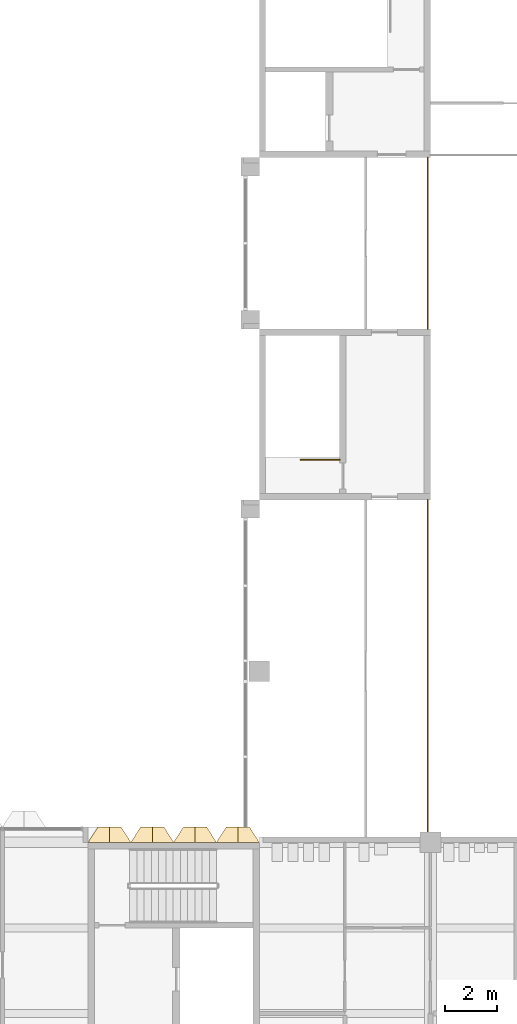
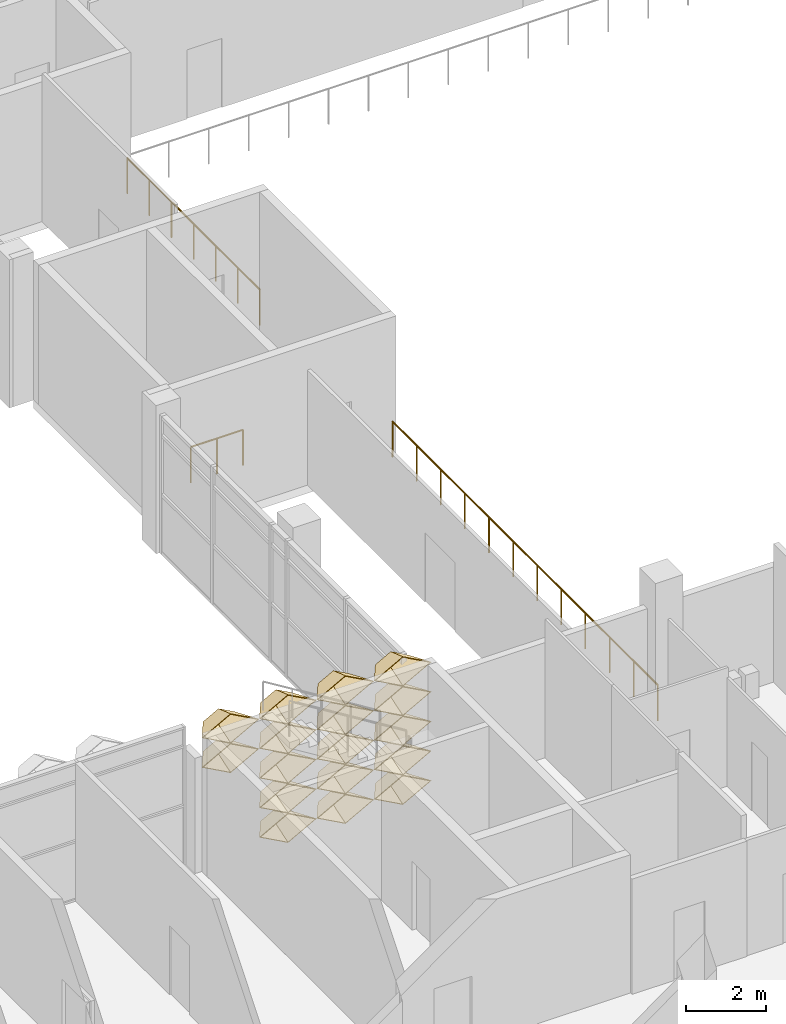
# One storey, part 73 of 102: 17 coverings, 3 railings.
"""IFC4 building model written with IfcOpenShell, lengths in metres."""

from ifc_helpers import new_model, entity, si_unit, direction, frame, origin, origin_2d, place, context, subcontext, project, spatial, circle, extrude, material, layer, layer_set, type_object, element, save


model = new_model("IFC4")

# Units and contexts
model_context = context("Model", 3, precision=1e-05, world=origin(), true_north=direction((0.0, 1.0)))
body_context = subcontext(model_context, "Body", "Model", "MODEL_VIEW")
ifc_project = project(units=[si_unit("LENGTHUNIT", "METRE"), si_unit("AREAUNIT", "SQUARE_METRE"), si_unit("VOLUMEUNIT", "CUBIC_METRE"), si_unit("PLANEANGLEUNIT", "RADIAN"), si_unit("MASSUNIT", "GRAM", prefix="KILO")], contexts=[model_context])

# Site, building, storey
site_placement = place(None, origin())
site = spatial("IfcSite", under=ifc_project, at=site_placement, CompositionType="ELEMENT")
building_placement = place(site_placement, origin())
building = spatial("IfcBuilding", under=site, at=building_placement, Name="Lantern Court Research Institute", CompositionType="ELEMENT")
storey_placement = place(building_placement, frame((0.0, 0.0, 9.89990234375)))
storey = spatial("IfcBuildingStorey", under=building, at=storey_placement, Name="L02", CompositionType="ELEMENT", Elevation=9.89990234375)

# Coverings
ifc_material_1 = material(Name="Anodised aluminium", Category="aluminium")
ifc_layer = layer(ifc_material_1, 0.01611328125)
ifc_layer_set = layer_set([ifc_layer], Name="Anodised aluminium")
covering_type = type_object("IfcCoveringType", Name="Fin cassette 1650 x 900 x 600 aluminium", PredefinedType="CLADDING", material=ifc_layer_set)
covering_1_placement = place(storey_placement, frame((35.47509765625, 23.10009765625, 0.4501953125), z_axis=(0.0, 1.0, 0.0), x_axis=(-1.0, 0.0, 0.0)))
cartesian_point_1 = entity("IfcCartesianPoint", [0.824951171875, 0.0])
cartesian_point_2 = entity("IfcCartesianPoint", [0.79150390625, 0.0])
cartesian_point_3 = entity("IfcCartesianPoint", [0.44189453125, 0.0])
cartesian_point_4 = entity("IfcCartesianPoint", [0.43359375, 0.0])
element("IfcCovering", 1, at=covering_1_placement, inside=storey, type_object=covering_type, Name="Fin cassette V4N-L02 1.22", PredefinedType="CLADDING", context=body_context, shape_type="SweptSolid", body=[
    entity("IfcExtrudedAreaSolidTapered", entity("IfcArbitraryProfileDefWithVoids", "AREA", None, entity("IfcPolyline", [cartesian_point_1, entity("IfcCartesianPoint", [0.0, 0.449951171875]), entity("IfcCartesianPoint", [-0.824951171875, 0.0]), entity("IfcCartesianPoint", [0.0, -0.449951171875]), cartesian_point_1]), [entity("IfcPolyline", [cartesian_point_2, entity("IfcCartesianPoint", [0.0, 0.431884765625]), entity("IfcCartesianPoint", [-0.79150390625, 0.0]), entity("IfcCartesianPoint", [0.0, -0.431884765625]), cartesian_point_2])]), entity("IfcAxis2Placement3D", entity("IfcCartesianPoint", [0.0, 0.0, 0.0])), entity("IfcDirection", [0.0, 0.0, 1.0]), 0.60009765625, entity("IfcArbitraryProfileDefWithVoids", "AREA", None, entity("IfcPolyline", [cartesian_point_3, entity("IfcCartesianPoint", [0.0, 0.240966796875]), entity("IfcCartesianPoint", [-0.44189453125, 0.0]), entity("IfcCartesianPoint", [0.0, -0.240966796875]), cartesian_point_3]), [entity("IfcPolyline", [cartesian_point_4, entity("IfcCartesianPoint", [0.0, 0.236572265625]), entity("IfcCartesianPoint", [-0.43359375, 0.0]), entity("IfcCartesianPoint", [0.0, -0.236572265625]), cartesian_point_4])])),
])
covering_2_placement = place(storey_placement, frame((37.125, 23.10009765625, 0.4501953125), z_axis=(0.0, 1.0, 0.0), x_axis=(-1.0, 0.0, 0.0)))
cartesian_point_5 = entity("IfcCartesianPoint", [0.824951171875, 0.0])
cartesian_point_6 = entity("IfcCartesianPoint", [0.79150390625, 0.0])
cartesian_point_7 = entity("IfcCartesianPoint", [0.44189453125, 0.0])
cartesian_point_8 = entity("IfcCartesianPoint", [0.43359375, 0.0])
element("IfcCovering", 2, at=covering_2_placement, inside=storey, type_object=covering_type, Name="Fin cassette V4N-L02 1.23", PredefinedType="CLADDING", context=body_context, shape_type="SweptSolid", body=[
    entity("IfcExtrudedAreaSolidTapered", entity("IfcArbitraryProfileDefWithVoids", "AREA", None, entity("IfcPolyline", [cartesian_point_5, entity("IfcCartesianPoint", [0.0, 0.449951171875]), entity("IfcCartesianPoint", [-0.824951171875, 0.0]), entity("IfcCartesianPoint", [0.0, -0.449951171875]), cartesian_point_5]), [entity("IfcPolyline", [cartesian_point_6, entity("IfcCartesianPoint", [0.0, 0.431884765625]), entity("IfcCartesianPoint", [-0.79150390625, 0.0]), entity("IfcCartesianPoint", [0.0, -0.431884765625]), cartesian_point_6])]), entity("IfcAxis2Placement3D", entity("IfcCartesianPoint", [0.0, 0.0, 0.0])), entity("IfcDirection", [0.0, 0.0, 1.0]), 0.60009765625, entity("IfcArbitraryProfileDefWithVoids", "AREA", None, entity("IfcPolyline", [cartesian_point_7, entity("IfcCartesianPoint", [0.0, 0.240966796875]), entity("IfcCartesianPoint", [-0.44189453125, 0.0]), entity("IfcCartesianPoint", [0.0, -0.240966796875]), cartesian_point_7]), [entity("IfcPolyline", [cartesian_point_8, entity("IfcCartesianPoint", [0.0, 0.236572265625]), entity("IfcCartesianPoint", [-0.43359375, 0.0]), entity("IfcCartesianPoint", [0.0, -0.236572265625]), cartesian_point_8])])),
])
covering_3_placement = place(storey_placement, frame((38.77490234375, 23.10009765625, 0.4501953125), z_axis=(0.0, 1.0, 0.0), x_axis=(-1.0, 0.0, 0.0)))
cartesian_point_9 = entity("IfcCartesianPoint", [0.824951171875, 0.0])
cartesian_point_10 = entity("IfcCartesianPoint", [0.79150390625, 0.0])
cartesian_point_11 = entity("IfcCartesianPoint", [0.44189453125, 0.0])
cartesian_point_12 = entity("IfcCartesianPoint", [0.43359375, 0.0])
element("IfcCovering", 3, at=covering_3_placement, inside=storey, type_object=covering_type, Name="Fin cassette V4N-L02 1.24", PredefinedType="CLADDING", context=body_context, shape_type="SweptSolid", body=[
    entity("IfcExtrudedAreaSolidTapered", entity("IfcArbitraryProfileDefWithVoids", "AREA", None, entity("IfcPolyline", [cartesian_point_9, entity("IfcCartesianPoint", [0.0, 0.449951171875]), entity("IfcCartesianPoint", [-0.824951171875, 0.0]), entity("IfcCartesianPoint", [0.0, -0.449951171875]), cartesian_point_9]), [entity("IfcPolyline", [cartesian_point_10, entity("IfcCartesianPoint", [0.0, 0.431884765625]), entity("IfcCartesianPoint", [-0.79150390625, 0.0]), entity("IfcCartesianPoint", [0.0, -0.431884765625]), cartesian_point_10])]), entity("IfcAxis2Placement3D", entity("IfcCartesianPoint", [0.0, 0.0, 0.0])), entity("IfcDirection", [0.0, 0.0, 1.0]), 0.60009765625, entity("IfcArbitraryProfileDefWithVoids", "AREA", None, entity("IfcPolyline", [cartesian_point_11, entity("IfcCartesianPoint", [0.0, 0.240966796875]), entity("IfcCartesianPoint", [-0.44189453125, 0.0]), entity("IfcCartesianPoint", [0.0, -0.240966796875]), cartesian_point_11]), [entity("IfcPolyline", [cartesian_point_12, entity("IfcCartesianPoint", [0.0, 0.236572265625]), entity("IfcCartesianPoint", [-0.43359375, 0.0]), entity("IfcCartesianPoint", [0.0, -0.236572265625]), cartesian_point_12])])),
])
covering_4_placement = place(storey_placement, frame((35.47509765625, 23.10009765625, 1.35009765625), z_axis=(0.0, 1.0, 0.0), x_axis=(-1.0, 0.0, 0.0)))
cartesian_point_13 = entity("IfcCartesianPoint", [0.824951171875, 0.0])
cartesian_point_14 = entity("IfcCartesianPoint", [0.79150390625, 0.0])
cartesian_point_15 = entity("IfcCartesianPoint", [0.44189453125, 0.0])
cartesian_point_16 = entity("IfcCartesianPoint", [0.43359375, 0.0])
element("IfcCovering", 4, at=covering_4_placement, inside=storey, type_object=covering_type, Name="Fin cassette V4N-L02 2.22", PredefinedType="CLADDING", context=body_context, shape_type="SweptSolid", body=[
    entity("IfcExtrudedAreaSolidTapered", entity("IfcArbitraryProfileDefWithVoids", "AREA", None, entity("IfcPolyline", [cartesian_point_13, entity("IfcCartesianPoint", [0.0, 0.449951171875]), entity("IfcCartesianPoint", [-0.824951171875, 0.0]), entity("IfcCartesianPoint", [0.0, -0.449951171875]), cartesian_point_13]), [entity("IfcPolyline", [cartesian_point_14, entity("IfcCartesianPoint", [0.0, 0.431884765625]), entity("IfcCartesianPoint", [-0.79150390625, 0.0]), entity("IfcCartesianPoint", [0.0, -0.431884765625]), cartesian_point_14])]), entity("IfcAxis2Placement3D", entity("IfcCartesianPoint", [0.0, 0.0, 0.0])), entity("IfcDirection", [0.0, 0.0, 1.0]), 0.60009765625, entity("IfcArbitraryProfileDefWithVoids", "AREA", None, entity("IfcPolyline", [cartesian_point_15, entity("IfcCartesianPoint", [0.0, 0.240966796875]), entity("IfcCartesianPoint", [-0.44189453125, 0.0]), entity("IfcCartesianPoint", [0.0, -0.240966796875]), cartesian_point_15]), [entity("IfcPolyline", [cartesian_point_16, entity("IfcCartesianPoint", [0.0, 0.236572265625]), entity("IfcCartesianPoint", [-0.43359375, 0.0]), entity("IfcCartesianPoint", [0.0, -0.236572265625]), cartesian_point_16])])),
])
covering_5_placement = place(storey_placement, frame((37.125, 23.10009765625, 1.35009765625), z_axis=(0.0, 1.0, 0.0), x_axis=(-1.0, 0.0, 0.0)))
cartesian_point_17 = entity("IfcCartesianPoint", [0.824951171875, 0.0])
cartesian_point_18 = entity("IfcCartesianPoint", [0.79150390625, 0.0])
cartesian_point_19 = entity("IfcCartesianPoint", [0.44189453125, 0.0])
cartesian_point_20 = entity("IfcCartesianPoint", [0.43359375, 0.0])
element("IfcCovering", 5, at=covering_5_placement, inside=storey, type_object=covering_type, Name="Fin cassette V4N-L02 2.23", PredefinedType="CLADDING", context=body_context, shape_type="SweptSolid", body=[
    entity("IfcExtrudedAreaSolidTapered", entity("IfcArbitraryProfileDefWithVoids", "AREA", None, entity("IfcPolyline", [cartesian_point_17, entity("IfcCartesianPoint", [0.0, 0.449951171875]), entity("IfcCartesianPoint", [-0.824951171875, 0.0]), entity("IfcCartesianPoint", [0.0, -0.449951171875]), cartesian_point_17]), [entity("IfcPolyline", [cartesian_point_18, entity("IfcCartesianPoint", [0.0, 0.431884765625]), entity("IfcCartesianPoint", [-0.79150390625, 0.0]), entity("IfcCartesianPoint", [0.0, -0.431884765625]), cartesian_point_18])]), entity("IfcAxis2Placement3D", entity("IfcCartesianPoint", [0.0, 0.0, 0.0])), entity("IfcDirection", [0.0, 0.0, 1.0]), 0.60009765625, entity("IfcArbitraryProfileDefWithVoids", "AREA", None, entity("IfcPolyline", [cartesian_point_19, entity("IfcCartesianPoint", [0.0, 0.240966796875]), entity("IfcCartesianPoint", [-0.44189453125, 0.0]), entity("IfcCartesianPoint", [0.0, -0.240966796875]), cartesian_point_19]), [entity("IfcPolyline", [cartesian_point_20, entity("IfcCartesianPoint", [0.0, 0.236572265625]), entity("IfcCartesianPoint", [-0.43359375, 0.0]), entity("IfcCartesianPoint", [0.0, -0.236572265625]), cartesian_point_20])])),
])
covering_6_placement = place(storey_placement, frame((38.77490234375, 23.10009765625, 1.35009765625), z_axis=(0.0, 1.0, 0.0), x_axis=(-1.0, 0.0, 0.0)))
cartesian_point_21 = entity("IfcCartesianPoint", [0.824951171875, 0.0])
cartesian_point_22 = entity("IfcCartesianPoint", [0.79150390625, 0.0])
cartesian_point_23 = entity("IfcCartesianPoint", [0.44189453125, 0.0])
cartesian_point_24 = entity("IfcCartesianPoint", [0.43359375, 0.0])
element("IfcCovering", 6, at=covering_6_placement, inside=storey, type_object=covering_type, Name="Fin cassette V4N-L02 2.24", PredefinedType="CLADDING", context=body_context, shape_type="SweptSolid", body=[
    entity("IfcExtrudedAreaSolidTapered", entity("IfcArbitraryProfileDefWithVoids", "AREA", None, entity("IfcPolyline", [cartesian_point_21, entity("IfcCartesianPoint", [0.0, 0.449951171875]), entity("IfcCartesianPoint", [-0.824951171875, 0.0]), entity("IfcCartesianPoint", [0.0, -0.449951171875]), cartesian_point_21]), [entity("IfcPolyline", [cartesian_point_22, entity("IfcCartesianPoint", [0.0, 0.431884765625]), entity("IfcCartesianPoint", [-0.79150390625, 0.0]), entity("IfcCartesianPoint", [0.0, -0.431884765625]), cartesian_point_22])]), entity("IfcAxis2Placement3D", entity("IfcCartesianPoint", [0.0, 0.0, 0.0])), entity("IfcDirection", [0.0, 0.0, 1.0]), 0.60009765625, entity("IfcArbitraryProfileDefWithVoids", "AREA", None, entity("IfcPolyline", [cartesian_point_23, entity("IfcCartesianPoint", [0.0, 0.240966796875]), entity("IfcCartesianPoint", [-0.44189453125, 0.0]), entity("IfcCartesianPoint", [0.0, -0.240966796875]), cartesian_point_23]), [entity("IfcPolyline", [cartesian_point_24, entity("IfcCartesianPoint", [0.0, 0.236572265625]), entity("IfcCartesianPoint", [-0.43359375, 0.0]), entity("IfcCartesianPoint", [0.0, -0.236572265625]), cartesian_point_24])])),
])
covering_7_placement = place(storey_placement, frame((35.47509765625, 23.10009765625, 2.25), z_axis=(0.0, 1.0, 0.0), x_axis=(-1.0, 0.0, 0.0)))
cartesian_point_25 = entity("IfcCartesianPoint", [0.824951171875, 0.0])
cartesian_point_26 = entity("IfcCartesianPoint", [0.79150390625, 0.0])
cartesian_point_27 = entity("IfcCartesianPoint", [0.44189453125, 0.0])
cartesian_point_28 = entity("IfcCartesianPoint", [0.43359375, 0.0])
element("IfcCovering", 7, at=covering_7_placement, inside=storey, type_object=covering_type, Name="Fin cassette V4N-L02 3.22", PredefinedType="CLADDING", context=body_context, shape_type="SweptSolid", body=[
    entity("IfcExtrudedAreaSolidTapered", entity("IfcArbitraryProfileDefWithVoids", "AREA", None, entity("IfcPolyline", [cartesian_point_25, entity("IfcCartesianPoint", [0.0, 0.449951171875]), entity("IfcCartesianPoint", [-0.824951171875, 0.0]), entity("IfcCartesianPoint", [0.0, -0.449951171875]), cartesian_point_25]), [entity("IfcPolyline", [cartesian_point_26, entity("IfcCartesianPoint", [0.0, 0.431884765625]), entity("IfcCartesianPoint", [-0.79150390625, 0.0]), entity("IfcCartesianPoint", [0.0, -0.431884765625]), cartesian_point_26])]), entity("IfcAxis2Placement3D", entity("IfcCartesianPoint", [0.0, 0.0, 0.0])), entity("IfcDirection", [0.0, 0.0, 1.0]), 0.60009765625, entity("IfcArbitraryProfileDefWithVoids", "AREA", None, entity("IfcPolyline", [cartesian_point_27, entity("IfcCartesianPoint", [0.0, 0.240966796875]), entity("IfcCartesianPoint", [-0.44189453125, 0.0]), entity("IfcCartesianPoint", [0.0, -0.240966796875]), cartesian_point_27]), [entity("IfcPolyline", [cartesian_point_28, entity("IfcCartesianPoint", [0.0, 0.236572265625]), entity("IfcCartesianPoint", [-0.43359375, 0.0]), entity("IfcCartesianPoint", [0.0, -0.236572265625]), cartesian_point_28])])),
])
covering_8_placement = place(storey_placement, frame((37.125, 23.10009765625, 2.25), z_axis=(0.0, 1.0, 0.0), x_axis=(-1.0, 0.0, 0.0)))
cartesian_point_29 = entity("IfcCartesianPoint", [0.824951171875, 0.0])
cartesian_point_30 = entity("IfcCartesianPoint", [0.79150390625, 0.0])
cartesian_point_31 = entity("IfcCartesianPoint", [0.44189453125, 0.0])
cartesian_point_32 = entity("IfcCartesianPoint", [0.43359375, 0.0])
element("IfcCovering", 8, at=covering_8_placement, inside=storey, type_object=covering_type, Name="Fin cassette V4N-L02 3.23", PredefinedType="CLADDING", context=body_context, shape_type="SweptSolid", body=[
    entity("IfcExtrudedAreaSolidTapered", entity("IfcArbitraryProfileDefWithVoids", "AREA", None, entity("IfcPolyline", [cartesian_point_29, entity("IfcCartesianPoint", [0.0, 0.449951171875]), entity("IfcCartesianPoint", [-0.824951171875, 0.0]), entity("IfcCartesianPoint", [0.0, -0.449951171875]), cartesian_point_29]), [entity("IfcPolyline", [cartesian_point_30, entity("IfcCartesianPoint", [0.0, 0.431884765625]), entity("IfcCartesianPoint", [-0.79150390625, 0.0]), entity("IfcCartesianPoint", [0.0, -0.431884765625]), cartesian_point_30])]), entity("IfcAxis2Placement3D", entity("IfcCartesianPoint", [0.0, 0.0, 0.0])), entity("IfcDirection", [0.0, 0.0, 1.0]), 0.60009765625, entity("IfcArbitraryProfileDefWithVoids", "AREA", None, entity("IfcPolyline", [cartesian_point_31, entity("IfcCartesianPoint", [0.0, 0.240966796875]), entity("IfcCartesianPoint", [-0.44189453125, 0.0]), entity("IfcCartesianPoint", [0.0, -0.240966796875]), cartesian_point_31]), [entity("IfcPolyline", [cartesian_point_32, entity("IfcCartesianPoint", [0.0, 0.236572265625]), entity("IfcCartesianPoint", [-0.43359375, 0.0]), entity("IfcCartesianPoint", [0.0, -0.236572265625]), cartesian_point_32])])),
])
covering_9_placement = place(storey_placement, frame((38.77490234375, 23.10009765625, 2.25), z_axis=(0.0, 1.0, 0.0), x_axis=(-1.0, 0.0, 0.0)))
cartesian_point_33 = entity("IfcCartesianPoint", [0.824951171875, 0.0])
cartesian_point_34 = entity("IfcCartesianPoint", [0.79150390625, 0.0])
cartesian_point_35 = entity("IfcCartesianPoint", [0.44189453125, 0.0])
cartesian_point_36 = entity("IfcCartesianPoint", [0.43359375, 0.0])
element("IfcCovering", 9, at=covering_9_placement, inside=storey, type_object=covering_type, Name="Fin cassette V4N-L02 3.24", PredefinedType="CLADDING", context=body_context, shape_type="SweptSolid", body=[
    entity("IfcExtrudedAreaSolidTapered", entity("IfcArbitraryProfileDefWithVoids", "AREA", None, entity("IfcPolyline", [cartesian_point_33, entity("IfcCartesianPoint", [0.0, 0.449951171875]), entity("IfcCartesianPoint", [-0.824951171875, 0.0]), entity("IfcCartesianPoint", [0.0, -0.449951171875]), cartesian_point_33]), [entity("IfcPolyline", [cartesian_point_34, entity("IfcCartesianPoint", [0.0, 0.431884765625]), entity("IfcCartesianPoint", [-0.79150390625, 0.0]), entity("IfcCartesianPoint", [0.0, -0.431884765625]), cartesian_point_34])]), entity("IfcAxis2Placement3D", entity("IfcCartesianPoint", [0.0, 0.0, 0.0])), entity("IfcDirection", [0.0, 0.0, 1.0]), 0.60009765625, entity("IfcArbitraryProfileDefWithVoids", "AREA", None, entity("IfcPolyline", [cartesian_point_35, entity("IfcCartesianPoint", [0.0, 0.240966796875]), entity("IfcCartesianPoint", [-0.44189453125, 0.0]), entity("IfcCartesianPoint", [0.0, -0.240966796875]), cartesian_point_35]), [entity("IfcPolyline", [cartesian_point_36, entity("IfcCartesianPoint", [0.0, 0.236572265625]), entity("IfcCartesianPoint", [-0.43359375, 0.0]), entity("IfcCartesianPoint", [0.0, -0.236572265625]), cartesian_point_36])])),
])
covering_10_placement = place(storey_placement, frame((33.824951171875, 23.10009765625, 3.150146484375), z_axis=(0.0, 1.0, 0.0), x_axis=(-1.0, 0.0, 0.0)))
cartesian_point_37 = entity("IfcCartesianPoint", [0.824951171875, 0.0])
cartesian_point_38 = entity("IfcCartesianPoint", [0.79150390625, 0.0])
cartesian_point_39 = entity("IfcCartesianPoint", [0.44189453125, 0.0])
cartesian_point_40 = entity("IfcCartesianPoint", [0.43359375, 0.0])
element("IfcCovering", 10, at=covering_10_placement, inside=storey, type_object=covering_type, Name="Fin cassette V4N-L02 4.21", PredefinedType="CLADDING", context=body_context, shape_type="SweptSolid", body=[
    entity("IfcExtrudedAreaSolidTapered", entity("IfcArbitraryProfileDefWithVoids", "AREA", None, entity("IfcPolyline", [cartesian_point_37, entity("IfcCartesianPoint", [0.0, 0.449951171875]), entity("IfcCartesianPoint", [-0.824951171875, 0.0]), entity("IfcCartesianPoint", [0.0, -0.449951171875]), cartesian_point_37]), [entity("IfcPolyline", [cartesian_point_38, entity("IfcCartesianPoint", [0.0, 0.431884765625]), entity("IfcCartesianPoint", [-0.79150390625, 0.0]), entity("IfcCartesianPoint", [0.0, -0.431884765625]), cartesian_point_38])]), entity("IfcAxis2Placement3D", entity("IfcCartesianPoint", [0.0, 0.0, 0.0])), entity("IfcDirection", [0.0, 0.0, 1.0]), 0.60009765625, entity("IfcArbitraryProfileDefWithVoids", "AREA", None, entity("IfcPolyline", [cartesian_point_39, entity("IfcCartesianPoint", [0.0, 0.240966796875]), entity("IfcCartesianPoint", [-0.44189453125, 0.0]), entity("IfcCartesianPoint", [0.0, -0.240966796875]), cartesian_point_39]), [entity("IfcPolyline", [cartesian_point_40, entity("IfcCartesianPoint", [0.0, 0.236572265625]), entity("IfcCartesianPoint", [-0.43359375, 0.0]), entity("IfcCartesianPoint", [0.0, -0.236572265625]), cartesian_point_40])])),
])
covering_11_placement = place(storey_placement, frame((35.47509765625, 23.10009765625, 3.150146484375), z_axis=(0.0, 1.0, 0.0), x_axis=(-1.0, 0.0, 0.0)))
cartesian_point_41 = entity("IfcCartesianPoint", [0.824951171875, 0.0])
cartesian_point_42 = entity("IfcCartesianPoint", [0.79150390625, 0.0])
cartesian_point_43 = entity("IfcCartesianPoint", [0.44189453125, 0.0])
cartesian_point_44 = entity("IfcCartesianPoint", [0.43359375, 0.0])
element("IfcCovering", 11, at=covering_11_placement, inside=storey, type_object=covering_type, Name="Fin cassette V4N-L02 4.22", PredefinedType="CLADDING", context=body_context, shape_type="SweptSolid", body=[
    entity("IfcExtrudedAreaSolidTapered", entity("IfcArbitraryProfileDefWithVoids", "AREA", None, entity("IfcPolyline", [cartesian_point_41, entity("IfcCartesianPoint", [0.0, 0.449951171875]), entity("IfcCartesianPoint", [-0.824951171875, 0.0]), entity("IfcCartesianPoint", [0.0, -0.449951171875]), cartesian_point_41]), [entity("IfcPolyline", [cartesian_point_42, entity("IfcCartesianPoint", [0.0, 0.431884765625]), entity("IfcCartesianPoint", [-0.79150390625, 0.0]), entity("IfcCartesianPoint", [0.0, -0.431884765625]), cartesian_point_42])]), entity("IfcAxis2Placement3D", entity("IfcCartesianPoint", [0.0, 0.0, 0.0])), entity("IfcDirection", [0.0, 0.0, 1.0]), 0.60009765625, entity("IfcArbitraryProfileDefWithVoids", "AREA", None, entity("IfcPolyline", [cartesian_point_43, entity("IfcCartesianPoint", [0.0, 0.240966796875]), entity("IfcCartesianPoint", [-0.44189453125, 0.0]), entity("IfcCartesianPoint", [0.0, -0.240966796875]), cartesian_point_43]), [entity("IfcPolyline", [cartesian_point_44, entity("IfcCartesianPoint", [0.0, 0.236572265625]), entity("IfcCartesianPoint", [-0.43359375, 0.0]), entity("IfcCartesianPoint", [0.0, -0.236572265625]), cartesian_point_44])])),
])
covering_12_placement = place(storey_placement, frame((37.125, 23.10009765625, 3.150146484375), z_axis=(0.0, 1.0, 0.0), x_axis=(-1.0, 0.0, 0.0)))
cartesian_point_45 = entity("IfcCartesianPoint", [0.824951171875, 0.0])
cartesian_point_46 = entity("IfcCartesianPoint", [0.79150390625, 0.0])
cartesian_point_47 = entity("IfcCartesianPoint", [0.44189453125, 0.0])
cartesian_point_48 = entity("IfcCartesianPoint", [0.43359375, 0.0])
element("IfcCovering", 12, at=covering_12_placement, inside=storey, type_object=covering_type, Name="Fin cassette V4N-L02 4.23", PredefinedType="CLADDING", context=body_context, shape_type="SweptSolid", body=[
    entity("IfcExtrudedAreaSolidTapered", entity("IfcArbitraryProfileDefWithVoids", "AREA", None, entity("IfcPolyline", [cartesian_point_45, entity("IfcCartesianPoint", [0.0, 0.449951171875]), entity("IfcCartesianPoint", [-0.824951171875, 0.0]), entity("IfcCartesianPoint", [0.0, -0.449951171875]), cartesian_point_45]), [entity("IfcPolyline", [cartesian_point_46, entity("IfcCartesianPoint", [0.0, 0.431884765625]), entity("IfcCartesianPoint", [-0.79150390625, 0.0]), entity("IfcCartesianPoint", [0.0, -0.431884765625]), cartesian_point_46])]), entity("IfcAxis2Placement3D", entity("IfcCartesianPoint", [0.0, 0.0, 0.0])), entity("IfcDirection", [0.0, 0.0, 1.0]), 0.60009765625, entity("IfcArbitraryProfileDefWithVoids", "AREA", None, entity("IfcPolyline", [cartesian_point_47, entity("IfcCartesianPoint", [0.0, 0.240966796875]), entity("IfcCartesianPoint", [-0.44189453125, 0.0]), entity("IfcCartesianPoint", [0.0, -0.240966796875]), cartesian_point_47]), [entity("IfcPolyline", [cartesian_point_48, entity("IfcCartesianPoint", [0.0, 0.236572265625]), entity("IfcCartesianPoint", [-0.43359375, 0.0]), entity("IfcCartesianPoint", [0.0, -0.236572265625]), cartesian_point_48])])),
])
covering_13_placement = place(storey_placement, frame((38.77490234375, 23.10009765625, 3.150146484375), z_axis=(0.0, 1.0, 0.0), x_axis=(-1.0, 0.0, 0.0)))
cartesian_point_49 = entity("IfcCartesianPoint", [0.824951171875, 0.0])
cartesian_point_50 = entity("IfcCartesianPoint", [0.79150390625, 0.0])
cartesian_point_51 = entity("IfcCartesianPoint", [0.44189453125, 0.0])
cartesian_point_52 = entity("IfcCartesianPoint", [0.43359375, 0.0])
element("IfcCovering", 13, at=covering_13_placement, inside=storey, type_object=covering_type, Name="Fin cassette V4N-L02 4.24", PredefinedType="CLADDING", context=body_context, shape_type="SweptSolid", body=[
    entity("IfcExtrudedAreaSolidTapered", entity("IfcArbitraryProfileDefWithVoids", "AREA", None, entity("IfcPolyline", [cartesian_point_49, entity("IfcCartesianPoint", [0.0, 0.449951171875]), entity("IfcCartesianPoint", [-0.824951171875, 0.0]), entity("IfcCartesianPoint", [0.0, -0.449951171875]), cartesian_point_49]), [entity("IfcPolyline", [cartesian_point_50, entity("IfcCartesianPoint", [0.0, 0.431884765625]), entity("IfcCartesianPoint", [-0.79150390625, 0.0]), entity("IfcCartesianPoint", [0.0, -0.431884765625]), cartesian_point_50])]), entity("IfcAxis2Placement3D", entity("IfcCartesianPoint", [0.0, 0.0, 0.0])), entity("IfcDirection", [0.0, 0.0, 1.0]), 0.60009765625, entity("IfcArbitraryProfileDefWithVoids", "AREA", None, entity("IfcPolyline", [cartesian_point_51, entity("IfcCartesianPoint", [0.0, 0.240966796875]), entity("IfcCartesianPoint", [-0.44189453125, 0.0]), entity("IfcCartesianPoint", [0.0, -0.240966796875]), cartesian_point_51]), [entity("IfcPolyline", [cartesian_point_52, entity("IfcCartesianPoint", [0.0, 0.236572265625]), entity("IfcCartesianPoint", [-0.43359375, 0.0]), entity("IfcCartesianPoint", [0.0, -0.236572265625]), cartesian_point_52])])),
])
covering_14_placement = place(storey_placement, frame((33.824951171875, 23.10009765625, 4.050048828125), z_axis=(0.0, 1.0, 0.0), x_axis=(-1.0, 0.0, 0.0)))
cartesian_point_53 = entity("IfcCartesianPoint", [0.824951171875, 0.0])
cartesian_point_54 = entity("IfcCartesianPoint", [0.79150390625, 0.0])
cartesian_point_55 = entity("IfcCartesianPoint", [0.44189453125, 0.0])
cartesian_point_56 = entity("IfcCartesianPoint", [0.43359375, 0.0])
element("IfcCovering", 14, at=covering_14_placement, inside=storey, type_object=covering_type, Name="Fin cassette V4N-L02 5.21", PredefinedType="CLADDING", context=body_context, shape_type="SweptSolid", body=[
    entity("IfcExtrudedAreaSolidTapered", entity("IfcArbitraryProfileDefWithVoids", "AREA", None, entity("IfcPolyline", [cartesian_point_53, entity("IfcCartesianPoint", [0.0, 0.449951171875]), entity("IfcCartesianPoint", [-0.824951171875, 0.0]), entity("IfcCartesianPoint", [0.0, -0.449951171875]), cartesian_point_53]), [entity("IfcPolyline", [cartesian_point_54, entity("IfcCartesianPoint", [0.0, 0.431884765625]), entity("IfcCartesianPoint", [-0.79150390625, 0.0]), entity("IfcCartesianPoint", [0.0, -0.431884765625]), cartesian_point_54])]), entity("IfcAxis2Placement3D", entity("IfcCartesianPoint", [0.0, 0.0, 0.0])), entity("IfcDirection", [0.0, 0.0, 1.0]), 0.60009765625, entity("IfcArbitraryProfileDefWithVoids", "AREA", None, entity("IfcPolyline", [cartesian_point_55, entity("IfcCartesianPoint", [0.0, 0.240966796875]), entity("IfcCartesianPoint", [-0.44189453125, 0.0]), entity("IfcCartesianPoint", [0.0, -0.240966796875]), cartesian_point_55]), [entity("IfcPolyline", [cartesian_point_56, entity("IfcCartesianPoint", [0.0, 0.236572265625]), entity("IfcCartesianPoint", [-0.43359375, 0.0]), entity("IfcCartesianPoint", [0.0, -0.236572265625]), cartesian_point_56])])),
])
covering_15_placement = place(storey_placement, frame((35.47509765625, 23.10009765625, 4.050048828125), z_axis=(0.0, 1.0, 0.0), x_axis=(-1.0, 0.0, 0.0)))
cartesian_point_57 = entity("IfcCartesianPoint", [0.824951171875, 0.0])
cartesian_point_58 = entity("IfcCartesianPoint", [0.79150390625, 0.0])
cartesian_point_59 = entity("IfcCartesianPoint", [0.44189453125, 0.0])
cartesian_point_60 = entity("IfcCartesianPoint", [0.43359375, 0.0])
element("IfcCovering", 15, at=covering_15_placement, inside=storey, type_object=covering_type, Name="Fin cassette V4N-L02 5.22", PredefinedType="CLADDING", context=body_context, shape_type="SweptSolid", body=[
    entity("IfcExtrudedAreaSolidTapered", entity("IfcArbitraryProfileDefWithVoids", "AREA", None, entity("IfcPolyline", [cartesian_point_57, entity("IfcCartesianPoint", [0.0, 0.449951171875]), entity("IfcCartesianPoint", [-0.824951171875, 0.0]), entity("IfcCartesianPoint", [0.0, -0.449951171875]), cartesian_point_57]), [entity("IfcPolyline", [cartesian_point_58, entity("IfcCartesianPoint", [0.0, 0.431884765625]), entity("IfcCartesianPoint", [-0.79150390625, 0.0]), entity("IfcCartesianPoint", [0.0, -0.431884765625]), cartesian_point_58])]), entity("IfcAxis2Placement3D", entity("IfcCartesianPoint", [0.0, 0.0, 0.0])), entity("IfcDirection", [0.0, 0.0, 1.0]), 0.60009765625, entity("IfcArbitraryProfileDefWithVoids", "AREA", None, entity("IfcPolyline", [cartesian_point_59, entity("IfcCartesianPoint", [0.0, 0.240966796875]), entity("IfcCartesianPoint", [-0.44189453125, 0.0]), entity("IfcCartesianPoint", [0.0, -0.240966796875]), cartesian_point_59]), [entity("IfcPolyline", [cartesian_point_60, entity("IfcCartesianPoint", [0.0, 0.236572265625]), entity("IfcCartesianPoint", [-0.43359375, 0.0]), entity("IfcCartesianPoint", [0.0, -0.236572265625]), cartesian_point_60])])),
])
covering_16_placement = place(storey_placement, frame((37.125, 23.10009765625, 4.050048828125), z_axis=(0.0, 1.0, 0.0), x_axis=(-1.0, 0.0, 0.0)))
cartesian_point_61 = entity("IfcCartesianPoint", [0.824951171875, 0.0])
cartesian_point_62 = entity("IfcCartesianPoint", [0.79150390625, 0.0])
cartesian_point_63 = entity("IfcCartesianPoint", [0.44189453125, 0.0])
cartesian_point_64 = entity("IfcCartesianPoint", [0.43359375, 0.0])
element("IfcCovering", 16, at=covering_16_placement, inside=storey, type_object=covering_type, Name="Fin cassette V4N-L02 5.23", PredefinedType="CLADDING", context=body_context, shape_type="SweptSolid", body=[
    entity("IfcExtrudedAreaSolidTapered", entity("IfcArbitraryProfileDefWithVoids", "AREA", None, entity("IfcPolyline", [cartesian_point_61, entity("IfcCartesianPoint", [0.0, 0.449951171875]), entity("IfcCartesianPoint", [-0.824951171875, 0.0]), entity("IfcCartesianPoint", [0.0, -0.449951171875]), cartesian_point_61]), [entity("IfcPolyline", [cartesian_point_62, entity("IfcCartesianPoint", [0.0, 0.431884765625]), entity("IfcCartesianPoint", [-0.79150390625, 0.0]), entity("IfcCartesianPoint", [0.0, -0.431884765625]), cartesian_point_62])]), entity("IfcAxis2Placement3D", entity("IfcCartesianPoint", [0.0, 0.0, 0.0])), entity("IfcDirection", [0.0, 0.0, 1.0]), 0.60009765625, entity("IfcArbitraryProfileDefWithVoids", "AREA", None, entity("IfcPolyline", [cartesian_point_63, entity("IfcCartesianPoint", [0.0, 0.240966796875]), entity("IfcCartesianPoint", [-0.44189453125, 0.0]), entity("IfcCartesianPoint", [0.0, -0.240966796875]), cartesian_point_63]), [entity("IfcPolyline", [cartesian_point_64, entity("IfcCartesianPoint", [0.0, 0.236572265625]), entity("IfcCartesianPoint", [-0.43359375, 0.0]), entity("IfcCartesianPoint", [0.0, -0.236572265625]), cartesian_point_64])])),
])
covering_17_placement = place(storey_placement, frame((38.77490234375, 23.10009765625, 4.050048828125), z_axis=(0.0, 1.0, 0.0), x_axis=(-1.0, 0.0, 0.0)))
cartesian_point_65 = entity("IfcCartesianPoint", [0.824951171875, 0.0])
cartesian_point_66 = entity("IfcCartesianPoint", [0.79150390625, 0.0])
cartesian_point_67 = entity("IfcCartesianPoint", [0.44189453125, 0.0])
cartesian_point_68 = entity("IfcCartesianPoint", [0.43359375, 0.0])
element("IfcCovering", 17, at=covering_17_placement, inside=storey, type_object=covering_type, Name="Fin cassette V4N-L02 5.24", PredefinedType="CLADDING", context=body_context, shape_type="SweptSolid", body=[
    entity("IfcExtrudedAreaSolidTapered", entity("IfcArbitraryProfileDefWithVoids", "AREA", None, entity("IfcPolyline", [cartesian_point_65, entity("IfcCartesianPoint", [0.0, 0.449951171875]), entity("IfcCartesianPoint", [-0.824951171875, 0.0]), entity("IfcCartesianPoint", [0.0, -0.449951171875]), cartesian_point_65]), [entity("IfcPolyline", [cartesian_point_66, entity("IfcCartesianPoint", [0.0, 0.431884765625]), entity("IfcCartesianPoint", [-0.79150390625, 0.0]), entity("IfcCartesianPoint", [0.0, -0.431884765625]), cartesian_point_66])]), entity("IfcAxis2Placement3D", entity("IfcCartesianPoint", [0.0, 0.0, 0.0])), entity("IfcDirection", [0.0, 0.0, 1.0]), 0.60009765625, entity("IfcArbitraryProfileDefWithVoids", "AREA", None, entity("IfcPolyline", [cartesian_point_67, entity("IfcCartesianPoint", [0.0, 0.240966796875]), entity("IfcCartesianPoint", [-0.44189453125, 0.0]), entity("IfcCartesianPoint", [0.0, -0.240966796875]), cartesian_point_67]), [entity("IfcPolyline", [cartesian_point_68, entity("IfcCartesianPoint", [0.0, 0.236572265625]), entity("IfcCartesianPoint", [-0.43359375, 0.0]), entity("IfcCartesianPoint", [0.0, -0.236572265625]), cartesian_point_68])])),
])

# Railings
ifc_material_2 = material(Name="Structural steel S355", Category="steel")
railing_type_1 = type_object("IfcRailingType", Name="Gallery guard 1100", PredefinedType="GUARDRAIL", material=ifc_material_2)
railing_1_placement = place(storey_placement, frame((46.10009765625, 23.10009765625, 0.0)))
element("IfcRailing", 18, at=railing_1_placement, inside=storey, type_object=railing_type_1, Name="Gallery guard L02", PredefinedType="GUARDRAIL", context=body_context, shape_type="SweptSolid", body=[
    extrude(circle(Radius=0.02490234375, at=origin_2d()), frame((0.0, 0.0, 1.0751953125), z_axis=(0.0, 1.0, 0.0), x_axis=(-1.0, 0.0, 0.0)), (0.0, 0.0, 1.0), 13.199951171875),
    extrude(circle(Radius=0.02001953125, at=origin_2d()), origin(), (0.0, 0.0, 1.0), 1.050048828125),
    extrude(circle(Radius=0.02001953125, at=origin_2d()), frame((0.0, 1.199951171875, 0.0)), (0.0, 0.0, 1.0), 1.050048828125),
    extrude(circle(Radius=0.02001953125, at=origin_2d()), frame((0.0, 2.39990234375, 0.0)), (0.0, 0.0, 1.0), 1.050048828125),
    extrude(circle(Radius=0.02001953125, at=origin_2d()), frame((0.0, 3.60009765625, 0.0)), (0.0, 0.0, 1.0), 1.050048828125),
    extrude(circle(Radius=0.02001953125, at=origin_2d()), frame((0.0, 4.800048828125, 0.0)), (0.0, 0.0, 1.0), 1.050048828125),
    extrude(circle(Radius=0.02001953125, at=origin_2d()), frame((0.0, 6.0, 0.0)), (0.0, 0.0, 1.0), 1.050048828125),
    extrude(circle(Radius=0.02001953125, at=origin_2d()), frame((0.0, 7.199951171875, 0.0)), (0.0, 0.0, 1.0), 1.050048828125),
    extrude(circle(Radius=0.02001953125, at=origin_2d()), frame((0.0, 8.39990234375, 0.0)), (0.0, 0.0, 1.0), 1.050048828125),
    extrude(circle(Radius=0.02001953125, at=origin_2d()), frame((0.0, 9.599853515625, 0.0)), (0.0, 0.0, 1.0), 1.050048828125),
    extrude(circle(Radius=0.02001953125, at=origin_2d()), frame((0.0, 10.800048828125, 0.0)), (0.0, 0.0, 1.0), 1.050048828125),
    extrude(circle(Radius=0.02001953125, at=origin_2d()), frame((0.0, 12.0, 0.0)), (0.0, 0.0, 1.0), 1.050048828125),
    extrude(circle(Radius=0.02001953125, at=origin_2d()), frame((0.0, 13.199951171875, 0.0)), (0.0, 0.0, 1.0), 1.050048828125),
])
railing_2_placement = place(storey_placement, frame((46.10009765625, 42.89990234375, 0.0)))
element("IfcRailing", 19, at=railing_2_placement, inside=storey, type_object=railing_type_1, Name="Gallery guard L02", PredefinedType="GUARDRAIL", context=body_context, shape_type="SweptSolid", body=[
    extrude(circle(Radius=0.02490234375, at=origin_2d()), frame((0.0, 0.0, 1.0751953125), z_axis=(0.0, 1.0, 0.0), x_axis=(-1.0, 0.0, 0.0)), (0.0, 0.0, 1.0), 6.60009765625),
    extrude(circle(Radius=0.02001953125, at=origin_2d()), origin(), (0.0, 0.0, 1.0), 1.050048828125),
    extrude(circle(Radius=0.02001953125, at=origin_2d()), frame((0.0, 1.10009765625, 0.0)), (0.0, 0.0, 1.0), 1.050048828125),
    extrude(circle(Radius=0.02001953125, at=origin_2d()), frame((0.0, 2.199951171875, 0.0)), (0.0, 0.0, 1.0), 1.050048828125),
    extrude(circle(Radius=0.02001953125, at=origin_2d()), frame((0.0, 3.300048828125, 0.0)), (0.0, 0.0, 1.0), 1.050048828125),
    extrude(circle(Radius=0.02001953125, at=origin_2d()), frame((0.0, 4.400146484375, 0.0)), (0.0, 0.0, 1.0), 1.050048828125),
    extrude(circle(Radius=0.02001953125, at=origin_2d()), frame((0.0, 5.5, 0.0)), (0.0, 0.0, 1.0), 1.050048828125),
    extrude(circle(Radius=0.02001953125, at=origin_2d()), frame((0.0, 6.60009765625, 0.0)), (0.0, 0.0, 1.0), 1.050048828125),
])
ifc_material_3 = material(Name="Structural steel S355", Category="steel")
railing_type_2 = type_object("IfcRailingType", Name="Stair guard 1100 steel", PredefinedType="GUARDRAIL", material=ifc_material_3)
railing_3_placement = place(storey_placement, frame((42.699951171875, 37.85009765625, 0.0)))
element("IfcRailing", 20, at=railing_3_placement, inside=storey, type_object=railing_type_2, Name="L02 ST-H3 top well guard 1", PredefinedType="GUARDRAIL", context=body_context, shape_type="SweptSolid", body=[
    extrude(circle(Radius=0.02392578125, at=origin_2d()), frame((0.0, 0.0, 1.076171875), z_axis=(-1.0, 0.0, 0.0), x_axis=(0.0, -1.0, 0.0)), (0.0, 0.0, 1.0), 1.5),
    extrude(circle(Radius=0.02099609375, at=origin_2d()), origin(), (0.0, 0.0, 1.0), 1.052001953125),
    extrude(circle(Radius=0.02099609375, at=origin_2d()), frame((-0.75, 0.0, 0.0)), (0.0, 0.0, 1.0), 1.052001953125),
    extrude(circle(Radius=0.02099609375, at=origin_2d()), frame((-1.5, 0.0, 0.0)), (0.0, 0.0, 1.0), 1.052001953125),
])

save(model, "model.ifc")
